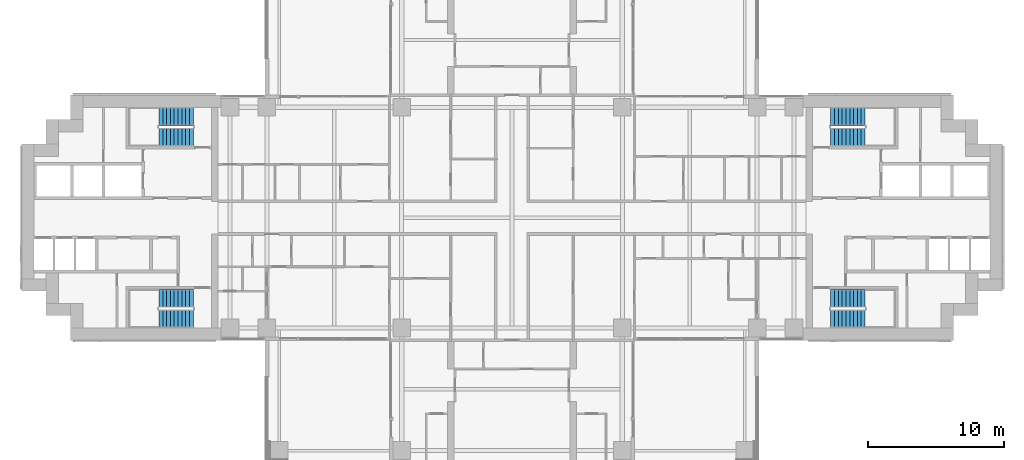
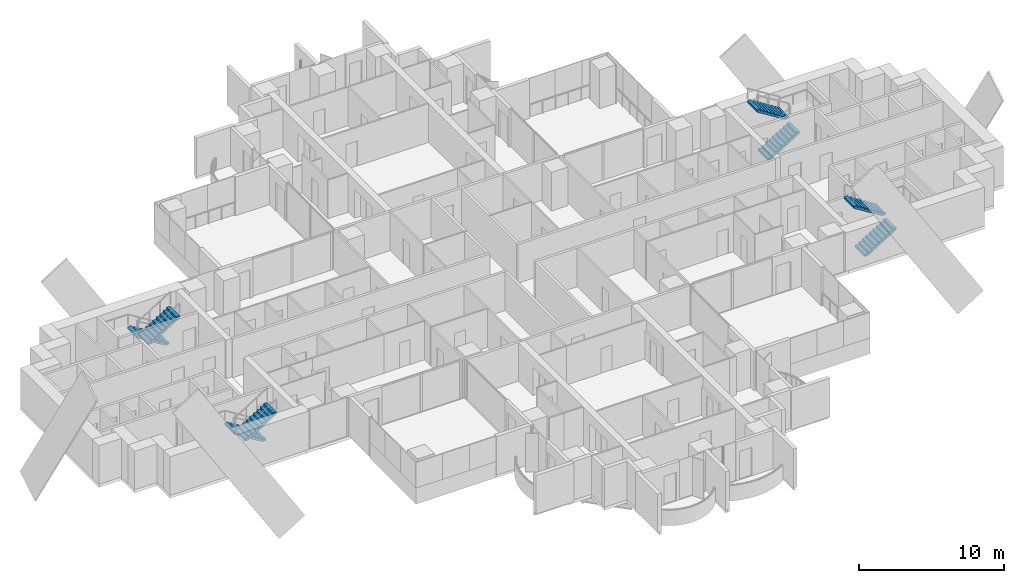
# One storey, part 18 of 23: 8 stair flights, 4 elements without a shape of their own.
"""IFC4 building model written with IfcOpenShell, lengths in metres."""

from ifc_helpers import new_model, si_unit, direction, frame, origin, place, context, subcontext, project, spatial, polyline, outline, extrude, material, type_object, element, aggregate, save


model = new_model("IFC4")

# Units and contexts
model_context = context("Model", 3, precision=1e-05, world=origin(), true_north=direction((0.0, 1.0)))
body_context = subcontext(model_context, "Body", "Model", "MODEL_VIEW")
ifc_project = project(units=[si_unit("LENGTHUNIT", "METRE"), si_unit("AREAUNIT", "SQUARE_METRE"), si_unit("VOLUMEUNIT", "CUBIC_METRE"), si_unit("PLANEANGLEUNIT", "RADIAN"), si_unit("MASSUNIT", "GRAM", prefix="KILO")], contexts=[model_context])

# Site, building, storey
site_placement = place(None, origin())
site = spatial("IfcSite", under=ifc_project, at=site_placement, CompositionType="ELEMENT")
building_placement = place(site_placement, origin())
building = spatial("IfcBuilding", under=site, at=building_placement, Name="Perihelion Cross Residences", CompositionType="ELEMENT")
storey_placement = place(building_placement, frame((0.0, 0.0, 61.0)))
storey = spatial("IfcBuildingStorey", under=building, at=storey_placement, Name="L12", CompositionType="ELEMENT", Elevation=61.0)

# Stair, stair flights
ifc_material_1 = material(Name="Concrete C40/50", Category="concrete")
stair_type = type_object("IfcStairType", Name="Exit stair, half-turn", PredefinedType="HALF_TURN_STAIR", material=ifc_material_1)
stair_1_placement = place(storey_placement, origin())
stair_1 = element("IfcStair", 1, at=stair_1_placement, inside=storey, type_object=stair_type, Name="L12 East core exit stair 1", PredefinedType="HALF_TURN_STAIR")
ifc_material_2 = material(Name="Concrete C40/50", Category="concrete")
stair_flight_type = type_object("IfcStairFlightType", Name="Exit stair flight", PredefinedType="STRAIGHT", material=ifc_material_2)
stair_flight_1_placement = place(storey_placement, frame((23.39990234375, 5.925048828125, 0.0), z_axis=(0.0, 0.0, 1.0), x_axis=(1.0, 0.0, 0.0)))
stair_flight_1 = element("IfcStairFlight", 2, at=stair_flight_1_placement, type_object=stair_flight_type, Name="ST-E1 flight 1", NumberOfRisers=10, NumberOfTreads=9, PredefinedType="STRAIGHT", RiserHeight=0.175, TreadLength=0.28, context=body_context, shape_type="SweptSolid", body=[
    extrude(outline(polyline([(0.0, 0.0), (0.0, 0.175048828125), (0.280029296875, 0.175048828125), (0.280029296875, 0.35009765625), (0.56005859375, 0.35009765625), (0.56005859375, 0.52490234375), (0.840087890625, 0.52490234375), (0.840087890625, 0.699951171875), (1.1201171875, 0.699951171875), (1.1201171875, 0.875), (1.39990234375, 0.875), (1.39990234375, 1.050048828125), (1.679931640625, 1.050048828125), (1.679931640625, 1.22509765625), (1.9599609375, 1.22509765625), (1.9599609375, 1.39990234375), (2.239990234375, 1.39990234375), (2.239990234375, 1.574951171875), (2.52001953125, 1.574951171875), (2.52001953125, 1.75), (2.52001953125, 1.398193359375), (0.28271484375, 0.0), (0.0, 0.0)])), frame((0.0, 0.675048828125, 0.0), z_axis=(0.0, -1.0, 0.0), x_axis=(1.0, 0.0, 0.0)), (0.0, 0.0, 1.0), 1.35009765625),
])
stair_flight_2_placement = place(storey_placement, frame((25.919921875, 7.425048828125, 1.75), z_axis=(0.0, 0.0, 1.0), x_axis=(-1.0, 0.0, 0.0)))
stair_flight_2 = element("IfcStairFlight", 3, at=stair_flight_2_placement, type_object=stair_flight_type, Name="ST-E1 flight 2", NumberOfRisers=10, NumberOfTreads=9, PredefinedType="STRAIGHT", RiserHeight=0.175, TreadLength=0.28, context=body_context, shape_type="SweptSolid", body=[
    extrude(outline(polyline([(0.0, 0.0), (0.0, 0.175048828125), (0.280029296875, 0.175048828125), (0.280029296875, 0.35009765625), (0.56005859375, 0.35009765625), (0.56005859375, 0.52490234375), (0.840087890625, 0.52490234375), (0.840087890625, 0.699951171875), (1.1201171875, 0.699951171875), (1.1201171875, 0.875), (1.39990234375, 0.875), (1.39990234375, 1.050048828125), (1.679931640625, 1.050048828125), (1.679931640625, 1.22509765625), (1.9599609375, 1.22509765625), (1.9599609375, 1.39990234375), (2.239990234375, 1.39990234375), (2.239990234375, 1.574951171875), (2.52001953125, 1.574951171875), (2.52001953125, 1.75), (2.52001953125, 1.398193359375), (0.28271484375, 0.0), (0.0, 0.0)])), frame((0.0, 0.675048828125, 0.0), z_axis=(0.0, -1.0, 0.0), x_axis=(1.0, 0.0, 0.0)), (0.0, 0.0, 1.0), 1.35009765625),
])
aggregate(stair_1, [stair_flight_1, stair_flight_2])

stair_2_placement = place(storey_placement, origin())
stair_2 = element("IfcStair", 4, at=stair_2_placement, inside=storey, type_object=stair_type, Name="L12 East core exit stair 2", PredefinedType="HALF_TURN_STAIR")
stair_flight_3_placement = place(storey_placement, frame((23.39990234375, -7.425048828125, 0.0), z_axis=(0.0, 0.0, 1.0), x_axis=(1.0, 0.0, 0.0)))
stair_flight_3 = element("IfcStairFlight", 5, at=stair_flight_3_placement, type_object=stair_flight_type, Name="ST-E2 flight 1", NumberOfRisers=10, NumberOfTreads=9, PredefinedType="STRAIGHT", RiserHeight=0.175, TreadLength=0.28, context=body_context, shape_type="SweptSolid", body=[
    extrude(outline(polyline([(0.0, 0.0), (0.0, 0.175048828125), (0.280029296875, 0.175048828125), (0.280029296875, 0.35009765625), (0.56005859375, 0.35009765625), (0.56005859375, 0.52490234375), (0.840087890625, 0.52490234375), (0.840087890625, 0.699951171875), (1.1201171875, 0.699951171875), (1.1201171875, 0.875), (1.39990234375, 0.875), (1.39990234375, 1.050048828125), (1.679931640625, 1.050048828125), (1.679931640625, 1.22509765625), (1.9599609375, 1.22509765625), (1.9599609375, 1.39990234375), (2.239990234375, 1.39990234375), (2.239990234375, 1.574951171875), (2.52001953125, 1.574951171875), (2.52001953125, 1.75), (2.52001953125, 1.398193359375), (0.28271484375, 0.0), (0.0, 0.0)])), frame((0.0, 0.675048828125, 0.0), z_axis=(0.0, -1.0, 0.0), x_axis=(1.0, 0.0, 0.0)), (0.0, 0.0, 1.0), 1.35009765625),
])
stair_flight_4_placement = place(storey_placement, frame((25.919921875, -5.925048828125, 1.75), z_axis=(0.0, 0.0, 1.0), x_axis=(-1.0, 0.0, 0.0)))
stair_flight_4 = element("IfcStairFlight", 6, at=stair_flight_4_placement, type_object=stair_flight_type, Name="ST-E2 flight 2", NumberOfRisers=10, NumberOfTreads=9, PredefinedType="STRAIGHT", RiserHeight=0.175, TreadLength=0.28, context=body_context, shape_type="SweptSolid", body=[
    extrude(outline(polyline([(0.0, 0.0), (0.0, 0.175048828125), (0.280029296875, 0.175048828125), (0.280029296875, 0.35009765625), (0.56005859375, 0.35009765625), (0.56005859375, 0.52490234375), (0.840087890625, 0.52490234375), (0.840087890625, 0.699951171875), (1.1201171875, 0.699951171875), (1.1201171875, 0.875), (1.39990234375, 0.875), (1.39990234375, 1.050048828125), (1.679931640625, 1.050048828125), (1.679931640625, 1.22509765625), (1.9599609375, 1.22509765625), (1.9599609375, 1.39990234375), (2.239990234375, 1.39990234375), (2.239990234375, 1.574951171875), (2.52001953125, 1.574951171875), (2.52001953125, 1.75), (2.52001953125, 1.398193359375), (0.28271484375, 0.0), (0.0, 0.0)])), frame((0.0, 0.675048828125, 0.0), z_axis=(0.0, -1.0, 0.0), x_axis=(1.0, 0.0, 0.0)), (0.0, 0.0, 1.0), 1.35009765625),
])
aggregate(stair_2, [stair_flight_3, stair_flight_4])

stair_3_placement = place(storey_placement, origin())
stair_3 = element("IfcStair", 7, at=stair_3_placement, inside=storey, type_object=stair_type, Name="L12 West core exit stair 1", PredefinedType="HALF_TURN_STAIR")
stair_flight_5_placement = place(storey_placement, frame((-23.39990234375, 7.425048828125, 0.0), z_axis=(0.0, 0.0, 1.0), x_axis=(-1.0, 0.0, 0.0)))
stair_flight_5 = element("IfcStairFlight", 8, at=stair_flight_5_placement, type_object=stair_flight_type, Name="ST-W1 flight 1", NumberOfRisers=10, NumberOfTreads=9, PredefinedType="STRAIGHT", RiserHeight=0.175, TreadLength=0.28, context=body_context, shape_type="SweptSolid", body=[
    extrude(outline(polyline([(0.0, 0.0), (0.0, 0.175048828125), (0.280029296875, 0.175048828125), (0.280029296875, 0.35009765625), (0.56005859375, 0.35009765625), (0.56005859375, 0.52490234375), (0.840087890625, 0.52490234375), (0.840087890625, 0.699951171875), (1.1201171875, 0.699951171875), (1.1201171875, 0.875), (1.39990234375, 0.875), (1.39990234375, 1.050048828125), (1.679931640625, 1.050048828125), (1.679931640625, 1.22509765625), (1.9599609375, 1.22509765625), (1.9599609375, 1.39990234375), (2.239990234375, 1.39990234375), (2.239990234375, 1.574951171875), (2.52001953125, 1.574951171875), (2.52001953125, 1.75), (2.52001953125, 1.398193359375), (0.28271484375, 0.0), (0.0, 0.0)])), frame((0.0, 0.675048828125, 0.0), z_axis=(0.0, -1.0, 0.0), x_axis=(1.0, 0.0, 0.0)), (0.0, 0.0, 1.0), 1.35009765625),
])
stair_flight_6_placement = place(storey_placement, frame((-25.919921875, 5.925048828125, 1.75), z_axis=(0.0, 0.0, 1.0), x_axis=(1.0, 0.0, 0.0)))
stair_flight_6 = element("IfcStairFlight", 9, at=stair_flight_6_placement, type_object=stair_flight_type, Name="ST-W1 flight 2", NumberOfRisers=10, NumberOfTreads=9, PredefinedType="STRAIGHT", RiserHeight=0.175, TreadLength=0.28, context=body_context, shape_type="SweptSolid", body=[
    extrude(outline(polyline([(0.0, 0.0), (0.0, 0.175048828125), (0.280029296875, 0.175048828125), (0.280029296875, 0.35009765625), (0.56005859375, 0.35009765625), (0.56005859375, 0.52490234375), (0.840087890625, 0.52490234375), (0.840087890625, 0.699951171875), (1.1201171875, 0.699951171875), (1.1201171875, 0.875), (1.39990234375, 0.875), (1.39990234375, 1.050048828125), (1.679931640625, 1.050048828125), (1.679931640625, 1.22509765625), (1.9599609375, 1.22509765625), (1.9599609375, 1.39990234375), (2.239990234375, 1.39990234375), (2.239990234375, 1.574951171875), (2.52001953125, 1.574951171875), (2.52001953125, 1.75), (2.52001953125, 1.398193359375), (0.28271484375, 0.0), (0.0, 0.0)])), frame((0.0, 0.675048828125, 0.0), z_axis=(0.0, -1.0, 0.0), x_axis=(1.0, 0.0, 0.0)), (0.0, 0.0, 1.0), 1.35009765625),
])
aggregate(stair_3, [stair_flight_5, stair_flight_6])

stair_4_placement = place(storey_placement, origin())
stair_4 = element("IfcStair", 10, at=stair_4_placement, inside=storey, type_object=stair_type, Name="L12 West core exit stair 2", PredefinedType="HALF_TURN_STAIR")
stair_flight_7_placement = place(storey_placement, frame((-23.39990234375, -5.925048828125, 0.0), z_axis=(0.0, 0.0, 1.0), x_axis=(-1.0, 0.0, 0.0)))
stair_flight_7 = element("IfcStairFlight", 11, at=stair_flight_7_placement, type_object=stair_flight_type, Name="ST-W2 flight 1", NumberOfRisers=10, NumberOfTreads=9, PredefinedType="STRAIGHT", RiserHeight=0.175, TreadLength=0.28, context=body_context, shape_type="SweptSolid", body=[
    extrude(outline(polyline([(0.0, 0.0), (0.0, 0.175048828125), (0.280029296875, 0.175048828125), (0.280029296875, 0.35009765625), (0.56005859375, 0.35009765625), (0.56005859375, 0.52490234375), (0.840087890625, 0.52490234375), (0.840087890625, 0.699951171875), (1.1201171875, 0.699951171875), (1.1201171875, 0.875), (1.39990234375, 0.875), (1.39990234375, 1.050048828125), (1.679931640625, 1.050048828125), (1.679931640625, 1.22509765625), (1.9599609375, 1.22509765625), (1.9599609375, 1.39990234375), (2.239990234375, 1.39990234375), (2.239990234375, 1.574951171875), (2.52001953125, 1.574951171875), (2.52001953125, 1.75), (2.52001953125, 1.398193359375), (0.28271484375, 0.0), (0.0, 0.0)])), frame((0.0, 0.675048828125, 0.0), z_axis=(0.0, -1.0, 0.0), x_axis=(1.0, 0.0, 0.0)), (0.0, 0.0, 1.0), 1.35009765625),
])
stair_flight_8_placement = place(storey_placement, frame((-25.919921875, -7.425048828125, 1.75), z_axis=(0.0, 0.0, 1.0), x_axis=(1.0, 0.0, 0.0)))
stair_flight_8 = element("IfcStairFlight", 12, at=stair_flight_8_placement, type_object=stair_flight_type, Name="ST-W2 flight 2", NumberOfRisers=10, NumberOfTreads=9, PredefinedType="STRAIGHT", RiserHeight=0.175, TreadLength=0.28, context=body_context, shape_type="SweptSolid", body=[
    extrude(outline(polyline([(0.0, 0.0), (0.0, 0.175048828125), (0.280029296875, 0.175048828125), (0.280029296875, 0.35009765625), (0.56005859375, 0.35009765625), (0.56005859375, 0.52490234375), (0.840087890625, 0.52490234375), (0.840087890625, 0.699951171875), (1.1201171875, 0.699951171875), (1.1201171875, 0.875), (1.39990234375, 0.875), (1.39990234375, 1.050048828125), (1.679931640625, 1.050048828125), (1.679931640625, 1.22509765625), (1.9599609375, 1.22509765625), (1.9599609375, 1.39990234375), (2.239990234375, 1.39990234375), (2.239990234375, 1.574951171875), (2.52001953125, 1.574951171875), (2.52001953125, 1.75), (2.52001953125, 1.398193359375), (0.28271484375, 0.0), (0.0, 0.0)])), frame((0.0, 0.675048828125, 0.0), z_axis=(0.0, -1.0, 0.0), x_axis=(1.0, 0.0, 0.0)), (0.0, 0.0, 1.0), 1.35009765625),
])
aggregate(stair_4, [stair_flight_7, stair_flight_8])

save(model, "model.ifc")
